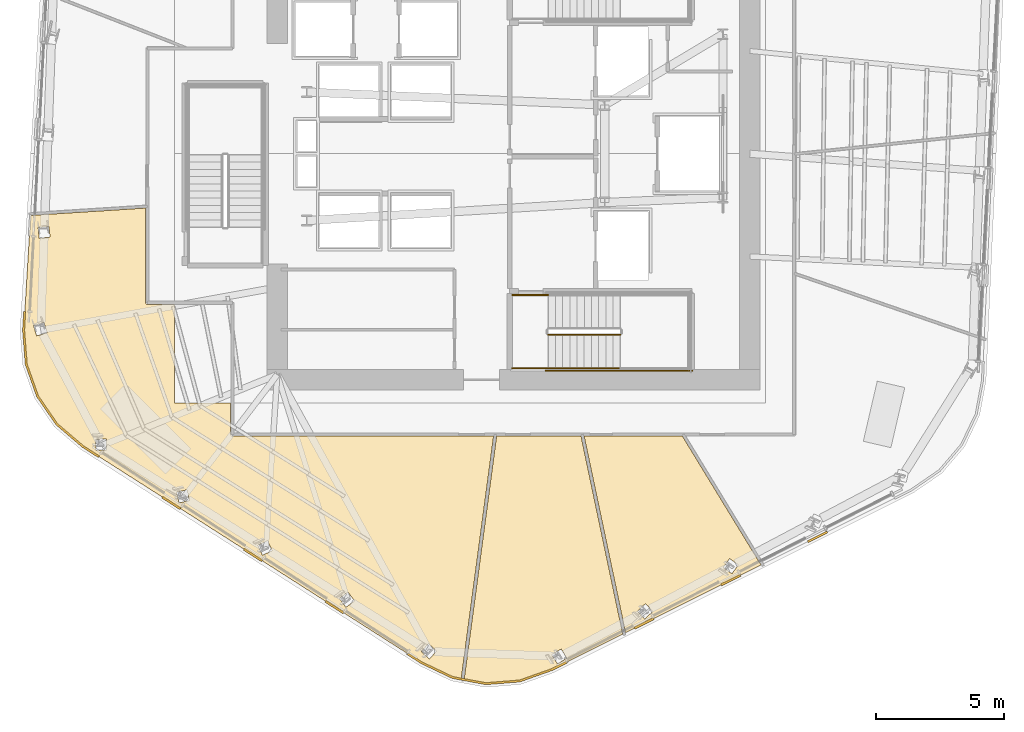
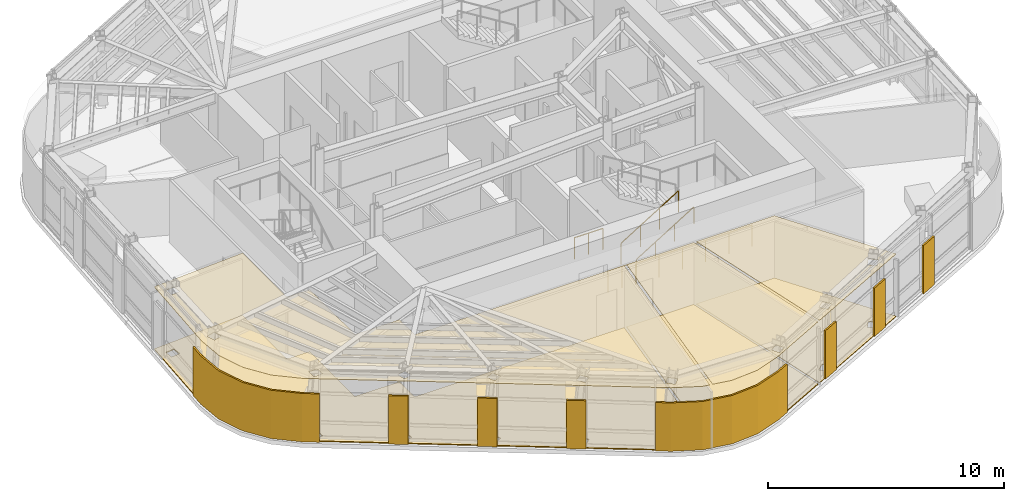
# One storey, part 9 of 14: 14 coverings, 5 railings.
"""IFC4 building model written with IfcOpenShell, lengths in metres."""

import ifcopenshell
import ifcopenshell.guid

model = None  # the IFC model being written
_history = None  # IfcOwnerHistory: only IFC2X3 demands one
_inside = {}  # id of a spatial element -> (the spatial element, [elements in it])
_under = {}  # id of a project, library or spatial element -> (it, [spatial elements below it])
_declared = {}  # id of a project -> (the project, [libraries it declares])
_typed = {}  # id of a type object -> (the type object, [elements of that type])
_made_of = {}  # id of a material, layer set ... -> (it, [elements and type objects made of it])


def new_model(schema):
    """Start an empty IFC model of exactly this schema.

    Asked for "IFC4X3", IfcOpenShell would pick the latest addendum, in which some entities
    have other attributes; the version numbers below select the first issue.
    IFC2X3 requires an IfcOwnerHistory on every rooted entity: one is made here for all.
    """
    global model, _history
    if schema == "IFC4X3":
        model = ifcopenshell.file(schema_version=(4, 3, 0, 0))
    else:
        model = ifcopenshell.file(schema=schema)
    _inside.clear()
    _under.clear()
    _declared.clear()
    _typed.clear()
    _made_of.clear()
    _history = None
    if model.schema == "IFC2X3":
        org = make("IfcOrganization", Name="unknown")
        user = make(
            "IfcPersonAndOrganization",
            ThePerson=make("IfcPerson", FamilyName="unknown"),
            TheOrganization=org,
        )
        app = make(
            "IfcApplication",
            ApplicationDeveloper=org,
            Version="unknown",
            ApplicationFullName="unknown",
            ApplicationIdentifier="unknown",
        )
        _history = make(
            "IfcOwnerHistory",
            OwningUser=user,
            OwningApplication=app,
            ChangeAction="ADDED",
            CreationDate=0,
        )
    return model


def make(cls, **values):
    """One entity of the class cls with the attributes given. An attribute that is None is left unset."""
    return model.create_entity(
        cls, **{name: value for name, value in values.items() if value is not None}
    )


def rooted(cls, **values):
    """An entity with a GlobalId (a new one), such as an element, a storey or a relation."""
    return make(cls, GlobalId=ifcopenshell.guid.new(), OwnerHistory=_history, **values)


def si_unit(unit_type, name, prefix=None):
    """IfcSIUnit, for example si_unit("LENGTHUNIT", "METRE", prefix="MILLI")."""
    return make("IfcSIUnit", UnitType=unit_type, Prefix=prefix, Name=name)


def assignment(units):
    """IfcUnitAssignment: the units of a project."""
    return None if units is None else make("IfcUnitAssignment", Units=units)


def point(xyz):
    """IfcCartesianPoint."""
    return None if xyz is None else make("IfcCartesianPoint", Coordinates=xyz)


def direction(xyz):
    """IfcDirection."""
    return None if xyz is None else make("IfcDirection", DirectionRatios=xyz)


def frame(location, z_axis=None, x_axis=None):
    """IfcAxis2Placement3D, a coordinate frame: its origin and axes. An axis left out is left unset."""
    return make(
        "IfcAxis2Placement3D",
        Location=point(location),
        Axis=direction(z_axis),
        RefDirection=direction(x_axis),
    )


def frame_2d(location, x_axis=None):
    """IfcAxis2Placement2D, a coordinate frame in the plane: its origin and x axis."""
    return make(
        "IfcAxis2Placement2D", Location=point(location), RefDirection=direction(x_axis)
    )


def origin():
    """The frame at (0, 0, 0) with its axes left unset."""
    return frame((0.0, 0.0, 0.0))


def origin_2d():
    """The frame at (0, 0) in the plane with its x axis left unset."""
    return frame_2d((0.0, 0.0))


def place(relative_to, where):
    """IfcLocalPlacement: puts the frame where relative to a parent placement (None: the world)."""
    return make(
        "IfcLocalPlacement", PlacementRelTo=relative_to, RelativePlacement=where
    )


def context(
    kind, dimensions, precision=None, world=None, true_north=None, identifier=None
):
    """IfcGeometricRepresentationContext, for example the 3D "Model" context."""
    return make(
        "IfcGeometricRepresentationContext",
        ContextIdentifier=identifier,
        ContextType=kind,
        CoordinateSpaceDimension=dimensions,
        Precision=precision,
        WorldCoordinateSystem=world,
        TrueNorth=true_north,
    )


def subcontext(parent, identifier, kind, view, scale=None):
    """IfcGeometricRepresentationSubContext, for example "Body" below "Model"."""
    return make(
        "IfcGeometricRepresentationSubContext",
        ContextIdentifier=identifier,
        ContextType=kind,
        ParentContext=parent,
        TargetScale=scale,
        TargetView=view,
    )


def project(units=None, contexts=None):
    """IfcProject with its units and contexts."""
    return rooted(
        "IfcProject",
        Name="project",
        RepresentationContexts=contexts,
        UnitsInContext=assignment(units),
    )


def spatial(cls, under=None, at=None, **own):
    """A site, building, storey or space (cls), placed at a placement, below another one or the project."""
    s = rooted(cls, ObjectPlacement=at, **own)
    if under is not None:
        _under.setdefault(under.id(), (under, []))[1].append(s)
    return s


def polyline(points):
    """IfcPolyline through the points."""
    return make("IfcPolyline", Points=[point(p) for p in points])


def profile(cls, at=None, kind="AREA", **sizes):
    """A parametric profile (cls). Its sizes go by their IFC names, for example OverallWidth=200.0."""
    return make(cls, ProfileType=kind, Position=at, **sizes)


def circle(**sizes):
    """IfcCircleProfileDef."""
    return profile("IfcCircleProfileDef", **sizes)


def outline(outer, holes=None, kind="AREA"):
    """IfcArbitraryClosedProfileDef: a profile drawn as a closed curve; with holes, ...WithVoids."""
    if holes is None:
        return make("IfcArbitraryClosedProfileDef", ProfileType=kind, OuterCurve=outer)
    return make(
        "IfcArbitraryProfileDefWithVoids",
        ProfileType=kind,
        OuterCurve=outer,
        InnerCurves=holes,
    )


def extrude(swept, where, along, depth):
    """IfcExtrudedAreaSolid: the profile swept, set in the frame where, extruded along a direction by depth."""
    return make(
        "IfcExtrudedAreaSolid",
        SweptArea=swept,
        Position=where,
        ExtrudedDirection=direction(along),
        Depth=depth,
    )


def shape(context_of_items, identifier, shape_type, items):
    """IfcShapeRepresentation: the items that make up one representation, for example the "Body"."""
    return make(
        "IfcShapeRepresentation",
        ContextOfItems=context_of_items,
        RepresentationIdentifier=identifier,
        RepresentationType=shape_type,
        Items=items,
    )


def material(Name=None, Category=None):
    """IfcMaterial."""
    return make("IfcMaterial", Name=Name, Category=Category)


def layer(
    of_material, thickness, ventilated=None, Name=None, Category=None, Priority=None
):
    """IfcMaterialLayer: one layer of a wall or slab, of a material (None: an air gap)."""
    return make(
        "IfcMaterialLayer",
        Material=of_material,
        LayerThickness=thickness,
        IsVentilated=ventilated,
        Name=Name,
        Category=Category,
        Priority=Priority,
    )


def layer_set(layers, Name=None):
    """IfcMaterialLayerSet."""
    return make("IfcMaterialLayerSet", MaterialLayers=layers, LayerSetName=Name)


def made_of(thing, what):
    """Note that an element or type object is made of a material, layer set ...; save() writes the relation."""
    if what is not None:
        _made_of.setdefault(what.id(), (what, []))[1].append(thing)
    return thing


def type_object(cls, material=None, **own):
    """A type object (cls), such as IfcWallType, which elements share."""
    return made_of(rooted(cls, **own), material)


def element(
    cls,
    number,
    at=None,
    inside=None,
    cuts=None,
    type_object=None,
    material=None,
    context=None,
    identifier="Body",
    shape_type=None,
    held_by="IfcProductDefinitionShape",
    body=None,
    shapes=None,
    **own,
):
    """One element of the class cls, such as IfcWall. Its Tag is "e" and its number.

    at: its placement. inside: the storey or other place that contains it. cuts: it is an
    opening in that element (IfcRelVoidsElement). A single representation is given by context,
    identifier, shape_type and body (its items); several are given by shapes. held_by: the class
    of the entity that holds the representations. save() writes the other relations.
    """
    e = rooted(cls, Tag="e%d" % number, ObjectPlacement=at, **own)
    if body is not None:
        shapes = [shape(context, identifier, shape_type, body)]
    if shapes is not None:
        e.Representation = make(held_by, Representations=shapes)
    if inside is not None:
        _inside.setdefault(inside.id(), (inside, []))[1].append(e)
    if cuts is not None:
        rooted(
            "IfcRelVoidsElement", RelatingBuildingElement=cuts, RelatedOpeningElement=e
        )
    if type_object is not None:
        _typed.setdefault(type_object.id(), (type_object, []))[1].append(e)
    return made_of(e, material)


def aggregate(whole, parts):
    """IfcRelAggregates: a whole, such as a stair, and the parts it consists of."""
    return rooted("IfcRelAggregates", RelatingObject=whole, RelatedObjects=parts)


def save(model, path):
    """Write the relations noted so far, then the file.

    IfcRelAggregates (storeys below a building ...), IfcRelContainedInSpatialStructure (elements
    in a storey), IfcRelDefinesByType, IfcRelAssociatesMaterial and IfcRelDeclares: one each for
    every whole, place, type object, material and project.
    """
    for whole, parts in _under.values():
        aggregate(whole, parts)
    for where, things in _inside.values():
        rooted(
            "IfcRelContainedInSpatialStructure",
            RelatedElements=things,
            RelatingStructure=where,
        )
    for kind, things in _typed.values():
        rooted("IfcRelDefinesByType", RelatedObjects=things, RelatingType=kind)
    for what, things in _made_of.values():
        rooted("IfcRelAssociatesMaterial", RelatedObjects=things, RelatingMaterial=what)
    for by, libraries in _declared.values():
        rooted("IfcRelDeclares", RelatingContext=by, RelatedDefinitions=libraries)
    model.write(path)


model = new_model("IFC4")

# Units and contexts
model_context = context("Model", 3, precision=1e-05, world=origin(), true_north=direction((0.0, 1.0)))
body_context = subcontext(model_context, "Body", "Model", "MODEL_VIEW")
ifc_project = project(units=[si_unit("LENGTHUNIT", "METRE"), si_unit("AREAUNIT", "SQUARE_METRE"), si_unit("VOLUMEUNIT", "CUBIC_METRE"), si_unit("PLANEANGLEUNIT", "RADIAN"), si_unit("MASSUNIT", "GRAM", prefix="KILO")], contexts=[model_context])

# Site, building, storey
site_placement = place(None, origin())
site = spatial("IfcSite", under=ifc_project, at=site_placement, CompositionType="ELEMENT")
building_placement = place(site_placement, origin())
building = spatial("IfcBuilding", under=site, at=building_placement, Name="Valkerne Bourse Tower", CompositionType="ELEMENT")
storey_placement = place(building_placement, frame((0.0, 0.0, 140.0)))
storey = spatial("IfcBuildingStorey", under=building, at=storey_placement, Name="L35", CompositionType="ELEMENT", Elevation=140.0)

# Coverings
ifc_material_1 = material(Name="Mineral Fiber Acoustic Ceiling Tile", Category="acoustic")
ifc_layer_1 = layer(ifc_material_1, 0.02490234375)
ifc_layer_set_1 = layer_set([ifc_layer_1], Name="Mineral Fiber Acoustic Ceiling Tile")
covering_type_1 = type_object("IfcCoveringType", Name="COV-CEIL-ACT", PredefinedType="CEILING", material=ifc_layer_set_1)
covering_1_placement = place(storey_placement, frame((0.0, 0.0, 3.22998046875)))
element("IfcCovering", 1, at=covering_1_placement, inside=storey, type_object=covering_type_1, Name="L35 Suspended Ceiling 04", PredefinedType="CEILING", context=body_context, shape_type="SweptSolid", body=[
    extrude(outline(polyline([(53.3671875, 16.010986328125), (56.42919921875, 10.994384765625), (51.15673828125, 8.359130859375), (49.544189453125, 16.010986328125), (53.3671875, 16.010986328125)]), holes=[polyline([(52.21337890625, 9.181396484375), (51.932861328125, 9.486083984375), (51.930419921875, 9.485595703125), (51.619384765625, 9.19775390625), (51.89990234375, 8.89306640625), (51.902587890625, 8.893798828125), (52.21337890625, 9.181396484375)]), polyline([(55.299560546875, 10.654052734375), (55.545654296875, 10.9990234375), (55.208984375, 11.240234375), (55.20654296875, 11.239013671875), (54.960693359375, 10.89404296875), (55.29736328125, 10.65283203125), (55.299560546875, 10.654052734375)])]), origin(), (0.0, 0.0, 1.0), 0.02490234375),
])
covering_2_placement = place(storey_placement, frame((0.0, 0.0, 3.22998046875)))
element("IfcCovering", 2, at=covering_2_placement, inside=storey, type_object=covering_type_1, Name="L35 Suspended Ceiling 06", PredefinedType="CEILING", context=body_context, shape_type="SweptSolid", body=[
    extrude(outline(polyline([(45.71923828125, 6.3779296875), (44.87548828125, 6.5341796875), (46.139892578125, 16.010986328125), (49.423583984375, 16.010986328125), (51.047607421875, 8.3046875), (48.2880859375, 6.92529296875), (47.03466796875, 6.4814453125), (45.71923828125, 6.3779296875)]), holes=[polyline([(48.510498046875, 7.144775390625), (48.8701171875, 7.368896484375), (48.65185546875, 7.720947265625), (48.64892578125, 7.720703125), (48.28955078125, 7.49658203125), (48.5078125, 7.14453125), (48.510498046875, 7.144775390625)])]), origin(), (0.0, 0.0, 1.0), 0.02490234375),
])
covering_3_placement = place(storey_placement, frame((0.0, 0.0, 3.22998046875)))
element("IfcCovering", 3, at=covering_3_placement, inside=storey, type_object=covering_type_1, Name="L35 Suspended Ceiling 10", PredefinedType="CEILING", context=body_context, shape_type="SweptSolid", body=[
    extrude(outline(polyline([(30.033203125, 15.611083984375), (29.023193359375, 16.473876953125), (28.275634765625, 17.561279296875), (27.835205078125, 18.805419921875), (27.73095703125, 20.129638671875), (28.0, 24.598388671875), (32.48095703125, 24.885498046875), (32.48095703125, 21.19921875), (32.498291015625, 21.154296875), (32.52099609375, 21.13720703125), (32.549560546875, 21.131103515625), (33.60009765625, 21.131103515625), (33.60009765625, 17.300048828125), (35.781005859375, 17.300048828125), (35.781005859375, 16.079345703125), (35.791015625, 16.0439453125), (35.81982421875, 16.017822265625), (35.849609375, 16.010986328125), (46.02099609375, 16.010986328125), (44.759521484375, 6.555908203125), (44.421875, 6.618408203125), (43.2216796875, 7.19091796875), (30.033203125, 15.611083984375)]), holes=[polyline([(37.225830078125, 11.930908203125), (37.2236328125, 11.932373046875), (36.846923828125, 11.760498046875), (37.02197265625, 11.37451171875), (37.024169921875, 11.373046875), (37.40087890625, 11.544921875), (37.225830078125, 11.930908203125)]), polyline([(34.090576171875, 13.91552734375), (34.088623046875, 13.91748046875), (33.684814453125, 13.82568359375), (33.777587890625, 13.412353515625), (33.779296875, 13.410400390625), (34.18310546875, 13.501953125), (34.090576171875, 13.91552734375)]), polyline([(30.95849609375, 15.46923828125), (30.9453125, 15.892578125), (30.943603515625, 15.89501953125), (30.52978515625, 15.880859375), (30.54296875, 15.45751953125), (30.544677734375, 15.455078125), (30.95849609375, 15.46923828125)]), polyline([(28.64111328125, 20.033203125), (28.520263671875, 20.42822265625), (28.519287109375, 20.430908203125), (28.11328125, 20.306640625), (28.234130859375, 19.91162109375), (28.235107421875, 19.908935546875), (28.64111328125, 20.033203125)]), polyline([(28.713134765625, 24.1650390625), (28.712646484375, 24.167724609375), (28.29052734375, 24.121826171875), (28.3349609375, 23.711181640625), (28.33544921875, 23.70849609375), (28.757568359375, 23.75439453125), (28.713134765625, 24.1650390625)]), polyline([(43.4912109375, 7.926513671875), (43.48828125, 7.927001953125), (43.20654296875, 7.62353515625), (43.51611328125, 7.33447265625), (43.518798828125, 7.333984375), (43.800537109375, 7.63720703125), (43.4912109375, 7.926513671875)]), polyline([(40.35693359375, 9.934814453125), (40.3544921875, 9.935791015625), (40.020751953125, 9.69091796875), (40.2705078125, 9.348388671875), (40.27294921875, 9.347412109375), (40.606689453125, 9.59228515625), (40.35693359375, 9.934814453125)])]), origin(), (0.0, 0.0, 1.0), 0.02490234375),
])
ifc_material_2 = material(Name="Bronze Anodised Aluminium AA 6063-T6", Category="aluminium")
ifc_layer_2 = layer(ifc_material_2, 0.06005859375)
ifc_layer_set_2 = layer_set([ifc_layer_2], Name="Bronze Anodised Aluminium AA 6063-T6")
covering_type_2 = type_object("IfcCoveringType", Name="COV-CRN-ALUM", PredefinedType="CLADDING", material=ifc_layer_set_2)
covering_4_placement = place(storey_placement, origin())
element("IfcCovering", 4, at=covering_4_placement, inside=storey, type_object=covering_type_2, Name="L35 Wind-Shaped Corner Aluminium Cladding 02", PredefinedType="CLADDING", context=body_context, shape_type="SweptSolid", body=[
    extrude(outline(polyline([(58.27197265625, 11.8662109375), (58.235595703125, 11.9375), (58.987060546875, 12.31298828125), (59.023193359375, 12.24169921875), (58.27197265625, 11.8662109375)])), origin(), (0.0, 0.0, 1.0), 2.5),
])
covering_5_placement = place(storey_placement, origin())
element("IfcCovering", 5, at=covering_5_placement, inside=storey, type_object=covering_type_2, Name="L35 Wind-Shaped Corner Aluminium Cladding 03", PredefinedType="CLADDING", context=body_context, shape_type="SweptSolid", body=[
    extrude(outline(polyline([(54.898681640625, 10.180419921875), (54.8623046875, 10.251708984375), (55.61376953125, 10.627197265625), (55.650146484375, 10.555908203125), (54.898681640625, 10.180419921875)])), origin(), (0.0, 0.0, 1.0), 2.5),
])
covering_6_placement = place(storey_placement, origin())
element("IfcCovering", 6, at=covering_6_placement, inside=storey, type_object=covering_type_2, Name="L35 Wind-Shaped Corner Aluminium Cladding 04", PredefinedType="CLADDING", context=body_context, shape_type="SweptSolid", body=[
    extrude(outline(polyline([(51.525390625, 8.494384765625), (51.4892578125, 8.565673828125), (52.240478515625, 8.941162109375), (52.27685546875, 8.869873046875), (51.525390625, 8.494384765625)])), origin(), (0.0, 0.0, 1.0), 2.5),
])
covering_7_placement = place(storey_placement, origin())
element("IfcCovering", 7, at=covering_7_placement, inside=storey, type_object=covering_type_2, Name="L35 Wind-Shaped Corner Aluminium Cladding 05", PredefinedType="CLADDING", context=body_context, shape_type="SweptSolid", body=[
    extrude(outline(polyline([(48.305419921875, 6.884765625), (47.0439453125, 6.43798828125), (45.716796875, 6.33349609375), (44.408203125, 6.576171875), (43.2001953125, 7.15234375), (42.636474609375, 7.51220703125), (42.68017578125, 7.579345703125), (43.2392578125, 7.222412109375), (44.43310546875, 6.653076171875), (45.72119140625, 6.414306640625), (47.027099609375, 6.51708984375), (48.27392578125, 6.95849609375), (48.8671875, 7.255126953125), (48.90380859375, 7.183837890625), (48.305419921875, 6.884765625)])), origin(), (0.0, 0.0, 1.0), 2.5),
])
covering_8_placement = place(storey_placement, origin())
element("IfcCovering", 8, at=covering_8_placement, inside=storey, type_object=covering_type_2, Name="L35 Wind-Shaped Corner Aluminium Cladding 06", PredefinedType="CLADDING", context=body_context, shape_type="SweptSolid", body=[
    extrude(outline(polyline([(39.4580078125, 9.54150390625), (39.501708984375, 9.608642578125), (40.209716796875, 9.15673828125), (40.166015625, 9.089599609375), (39.4580078125, 9.54150390625)])), origin(), (0.0, 0.0, 1.0), 2.5),
])
covering_9_placement = place(storey_placement, origin())
element("IfcCovering", 9, at=covering_9_placement, inside=storey, type_object=covering_type_2, Name="L35 Wind-Shaped Corner Aluminium Cladding 07", PredefinedType="CLADDING", context=body_context, shape_type="SweptSolid", body=[
    extrude(outline(polyline([(36.279541015625, 11.571044921875), (36.322998046875, 11.63818359375), (37.031005859375, 11.18603515625), (36.987548828125, 11.118896484375), (36.279541015625, 11.571044921875)])), origin(), (0.0, 0.0, 1.0), 2.5),
])
covering_10_placement = place(storey_placement, origin())
element("IfcCovering", 10, at=covering_10_placement, inside=storey, type_object=covering_type_2, Name="L35 Wind-Shaped Corner Aluminium Cladding 08", PredefinedType="CLADDING", context=body_context, shape_type="SweptSolid", body=[
    extrude(outline(polyline([(33.10107421875, 13.600341796875), (33.14453125, 13.66748046875), (33.8525390625, 13.21533203125), (33.80908203125, 13.148193359375), (33.10107421875, 13.600341796875)])), origin(), (0.0, 0.0, 1.0), 2.5),
])
covering_11_placement = place(storey_placement, origin())
element("IfcCovering", 11, at=covering_11_placement, inside=storey, type_object=covering_type_2, Name="L35 Wind-Shaped Corner Aluminium Cladding 09", PredefinedType="CLADDING", context=body_context, shape_type="SweptSolid", body=[
    extrude(outline(polyline([(30.007080078125, 15.57568359375), (28.990234375, 16.444091796875), (28.236083984375, 17.541259765625), (27.791748046875, 18.796142578125), (27.686767578125, 20.12939453125), (27.731201171875, 20.86767578125), (27.811279296875, 20.86328125), (27.76708984375, 20.130126953125), (27.87060546875, 18.81298828125), (28.30810546875, 17.577880859375), (29.050048828125, 16.498291015625), (30.0546875, 15.64013671875), (30.674072265625, 15.24462890625), (30.63037109375, 15.177490234375), (30.007080078125, 15.57568359375)])), origin(), (0.0, 0.0, 1.0), 2.5),
])
ifc_material_3 = material(Name="Galvanised Painted Steel", Category="steel")
ifc_layer_3 = layer(ifc_material_3, 0.044921875)
ifc_layer_set_3 = layer_set([ifc_layer_3], Name="Galvanised Painted Steel")
covering_type_3 = type_object("IfcCoveringType", Name="COV-FLR-RAF", PredefinedType="FLOORING", material=ifc_layer_set_3)
covering_12_placement = place(storey_placement, origin())
element("IfcCovering", 12, at=covering_12_placement, inside=storey, type_object=covering_type_3, Name="L35 Floor Finish 06", PredefinedType="FLOORING", context=body_context, shape_type="SweptSolid", body=[
    extrude(outline(polyline([(45.71923828125, 6.3779296875), (44.87548828125, 6.5341796875), (46.139892578125, 16.010986328125), (49.423583984375, 16.010986328125), (51.047607421875, 8.3046875), (48.2880859375, 6.92529296875), (47.03466796875, 6.4814453125), (45.71923828125, 6.3779296875)]), holes=[polyline([(48.510498046875, 7.144775390625), (48.8701171875, 7.368896484375), (48.65185546875, 7.720947265625), (48.64892578125, 7.720703125), (48.28955078125, 7.49658203125), (48.5078125, 7.14453125), (48.510498046875, 7.144775390625)])]), origin(), (0.0, 0.0, 1.0), 0.044921875),
])
covering_13_placement = place(storey_placement, origin())
element("IfcCovering", 13, at=covering_13_placement, inside=storey, type_object=covering_type_3, Name="L35 Floor Finish 10", PredefinedType="FLOORING", context=body_context, shape_type="SweptSolid", body=[
    extrude(outline(polyline([(30.033203125, 15.611083984375), (29.023193359375, 16.473876953125), (28.275634765625, 17.561279296875), (27.835205078125, 18.805419921875), (27.73095703125, 20.129638671875), (28.0, 24.598388671875), (32.48095703125, 24.885498046875), (32.48095703125, 21.19921875), (32.498291015625, 21.154296875), (32.52099609375, 21.13720703125), (32.549560546875, 21.131103515625), (33.60009765625, 21.131103515625), (33.60009765625, 17.300048828125), (35.781005859375, 17.300048828125), (35.781005859375, 16.079345703125), (35.791015625, 16.0439453125), (35.81982421875, 16.017822265625), (35.849609375, 16.010986328125), (46.02099609375, 16.010986328125), (44.759521484375, 6.555908203125), (44.421875, 6.618408203125), (43.2216796875, 7.19091796875), (30.033203125, 15.611083984375)]), holes=[polyline([(37.225830078125, 11.930908203125), (37.2236328125, 11.932373046875), (36.846923828125, 11.760498046875), (37.02197265625, 11.37451171875), (37.024169921875, 11.373046875), (37.40087890625, 11.544921875), (37.225830078125, 11.930908203125)]), polyline([(34.090576171875, 13.91552734375), (34.088623046875, 13.91748046875), (33.684814453125, 13.82568359375), (33.777587890625, 13.412353515625), (33.779296875, 13.410400390625), (34.18310546875, 13.501953125), (34.090576171875, 13.91552734375)]), polyline([(30.95849609375, 15.46923828125), (30.9453125, 15.892578125), (30.943603515625, 15.89501953125), (30.52978515625, 15.880859375), (30.54296875, 15.45751953125), (30.544677734375, 15.455078125), (30.95849609375, 15.46923828125)]), polyline([(28.64111328125, 20.033203125), (28.520263671875, 20.42822265625), (28.519287109375, 20.430908203125), (28.11328125, 20.306640625), (28.234130859375, 19.91162109375), (28.235107421875, 19.908935546875), (28.64111328125, 20.033203125)]), polyline([(28.713134765625, 24.1650390625), (28.712646484375, 24.167724609375), (28.29052734375, 24.121826171875), (28.3349609375, 23.711181640625), (28.33544921875, 23.70849609375), (28.757568359375, 23.75439453125), (28.713134765625, 24.1650390625)]), polyline([(43.4912109375, 7.926513671875), (43.48828125, 7.927001953125), (43.20654296875, 7.62353515625), (43.51611328125, 7.33447265625), (43.518798828125, 7.333984375), (43.800537109375, 7.63720703125), (43.4912109375, 7.926513671875)]), polyline([(40.35693359375, 9.934814453125), (40.3544921875, 9.935791015625), (40.020751953125, 9.69091796875), (40.2705078125, 9.348388671875), (40.27294921875, 9.347412109375), (40.606689453125, 9.59228515625), (40.35693359375, 9.934814453125)])]), origin(), (0.0, 0.0, 1.0), 0.044921875),
])
ifc_material_4 = material(Name="Polished Granite Stone", Category="masonry")
ifc_layer_4 = layer(ifc_material_4, 0.030029296875)
ifc_layer_set_4 = layer_set([ifc_layer_4], Name="Polished Granite Stone")
covering_type_4 = type_object("IfcCoveringType", Name="COV-FLR-TERRAZZO", PredefinedType="FLOORING", material=ifc_layer_set_4)
covering_14_placement = place(storey_placement, origin())
element("IfcCovering", 14, at=covering_14_placement, inside=storey, type_object=covering_type_4, Name="L35 Floor Finish 04", PredefinedType="FLOORING", context=body_context, shape_type="SweptSolid", body=[
    extrude(outline(polyline([(53.3671875, 16.010986328125), (56.42919921875, 10.994384765625), (51.15673828125, 8.359130859375), (49.544189453125, 16.010986328125), (53.3671875, 16.010986328125)]), holes=[polyline([(52.21337890625, 9.181396484375), (51.932861328125, 9.486083984375), (51.930419921875, 9.485595703125), (51.619384765625, 9.19775390625), (51.89990234375, 8.89306640625), (51.902587890625, 8.893798828125), (52.21337890625, 9.181396484375)]), polyline([(55.299560546875, 10.654052734375), (55.545654296875, 10.9990234375), (55.208984375, 11.240234375), (55.20654296875, 11.239013671875), (54.960693359375, 10.89404296875), (55.29736328125, 10.65283203125), (55.299560546875, 10.654052734375)])]), origin(), (0.0, 0.0, 1.0), 0.030029296875),
])

# Railings
railing_type_1 = type_object("IfcRailingType", Name="RLG-ST-GUARD-1120", PredefinedType="GUARDRAIL", material=ifc_material_3)
railing_1_placement = place(storey_placement, frame((48.14990234375, 19.949951171875, 0.172607421875)))
element("IfcRailing", 15, at=railing_1_placement, inside=storey, type_object=railing_type_1, Name="L35 ST-1 stair guard 1", PredefinedType="GUARDRAIL", context=body_context, shape_type="SweptSolid", body=[
    extrude(circle(Radius=0.02392578125, at=origin_2d()), frame((0.0, 0.0, 1.09619140625), z_axis=(0.851089632645, 0.0, 0.525020415988), x_axis=(0.0, 1.0, 0.0)), (0.0, 0.0, 1.0), 3.2900390625),
    extrude(circle(Radius=0.02099609375, at=origin_2d()), origin(), (0.0, 0.0, 1.0), 1.072021484375),
    extrude(circle(Radius=0.02099609375, at=origin_2d()), frame((0.933349609375, 0.0, 0.57568359375)), (0.0, 0.0, 1.0), 1.072021484375),
    extrude(circle(Radius=0.02099609375, at=origin_2d()), frame((1.86669921875, 0.0, 1.151611328125)), (0.0, 0.0, 1.0), 1.072021484375),
    extrude(circle(Radius=0.02099609375, at=origin_2d()), frame((2.800048828125, 0.0, 1.727294921875)), (0.0, 0.0, 1.0), 1.072021484375),
])
for number, where, name in (
    (16, (46.75, 18.64990234375, 0.0), "L35 ST-1 stair guard 8"),
    (17, (46.75, 21.5, 0.0), "L35 ST-1 stair guard 9"),
):
    element("IfcRailing", number, at=place(storey_placement, frame(where)), inside=storey, type_object=railing_type_1, Name=name, PredefinedType="GUARDRAIL", context=body_context, shape_type="SweptSolid", body=[
        extrude(circle(Radius=0.02392578125, at=origin_2d()), frame((0.0, 0.0, 1.09619140625), z_axis=(1.0, 0.0, 0.0), x_axis=(0.0, 1.0, 0.0)), (0.0, 0.0, 1.0), 1.39990234375),
        extrude(circle(Radius=0.02099609375, at=origin_2d()), origin(), (0.0, 0.0, 1.0), 1.072021484375),
        extrude(circle(Radius=0.02099609375, at=origin_2d()), frame((0.699951171875, 0.0, 0.0)), (0.0, 0.0, 1.0), 1.072021484375),
        extrude(circle(Radius=0.02099609375, at=origin_2d()), frame((1.39990234375, 0.0, 0.0)), (0.0, 0.0, 1.0), 1.072021484375),
    ])
railing_2_placement = place(storey_placement, frame((48.050048828125, 18.550048828125, 0.0)))
element("IfcRailing", 18, at=railing_2_placement, inside=storey, type_object=railing_type_1, Name="L35 ST-1 stair guard 10", PredefinedType="GUARDRAIL", context=body_context, shape_type="SweptSolid", body=[
    extrude(circle(Radius=0.02392578125, at=origin_2d()), frame((0.0, 0.0, 1.09619140625), z_axis=(1.0, 0.0, 0.0), x_axis=(0.0, 1.0, 0.0)), (0.0, 0.0, 1.0), 5.699951171875),
    extrude(circle(Radius=0.02099609375, at=origin_2d()), origin(), (0.0, 0.0, 1.0), 1.072021484375),
    extrude(circle(Radius=0.02099609375, at=origin_2d()), frame((1.139892578125, 0.0, 0.0)), (0.0, 0.0, 1.0), 1.072021484375),
    extrude(circle(Radius=0.02099609375, at=origin_2d()), frame((2.280029296875, 0.0, 0.0)), (0.0, 0.0, 1.0), 1.072021484375),
    extrude(circle(Radius=0.02099609375, at=origin_2d()), frame((3.419921875, 0.0, 0.0)), (0.0, 0.0, 1.0), 1.072021484375),
    extrude(circle(Radius=0.02099609375, at=origin_2d()), frame((4.56005859375, 0.0, 0.0)), (0.0, 0.0, 1.0), 1.072021484375),
    extrude(circle(Radius=0.02099609375, at=origin_2d()), frame((5.699951171875, 0.0, 0.0)), (0.0, 0.0, 1.0), 1.072021484375),
])
ifc_material_5 = material(Name="Stainless Steel AISI 316", Category="steel")
railing_type_2 = type_object("IfcRailingType", Name="RLG-ST-HANDRAIL-900", PredefinedType="HANDRAIL", material=ifc_material_5)
railing_3_placement = place(storey_placement, frame((48.14990234375, 18.64990234375, 0.345458984375)))
element("IfcRailing", 19, at=railing_3_placement, inside=storey, type_object=railing_type_2, Name="L35 ST-1 stair handrail 1", PredefinedType="HANDRAIL", context=body_context, shape_type="SweptSolid", body=[
    extrude(circle(Radius=0.02392578125, at=origin_2d()), frame((0.0, 0.0, 0.8759765625), z_axis=(0.851089632645, 0.0, 0.525020415988), x_axis=(0.0, 1.0, 0.0)), (0.0, 0.0, 1.0), 3.2900390625),
    extrude(circle(Radius=0.02099609375, at=origin_2d()), origin(), (0.0, 0.0, 1.0), 0.851806640625),
    extrude(circle(Radius=0.02099609375, at=origin_2d()), frame((0.933349609375, 0.0, 0.57568359375)), (0.0, 0.0, 1.0), 0.851806640625),
    extrude(circle(Radius=0.02099609375, at=origin_2d()), frame((1.86669921875, 0.0, 1.151611328125)), (0.0, 0.0, 1.0), 0.851806640625),
    extrude(circle(Radius=0.02099609375, at=origin_2d()), frame((2.800048828125, 0.0, 1.727294921875)), (0.0, 0.0, 1.0), 0.851806640625),
])

save(model, "model.ifc")
